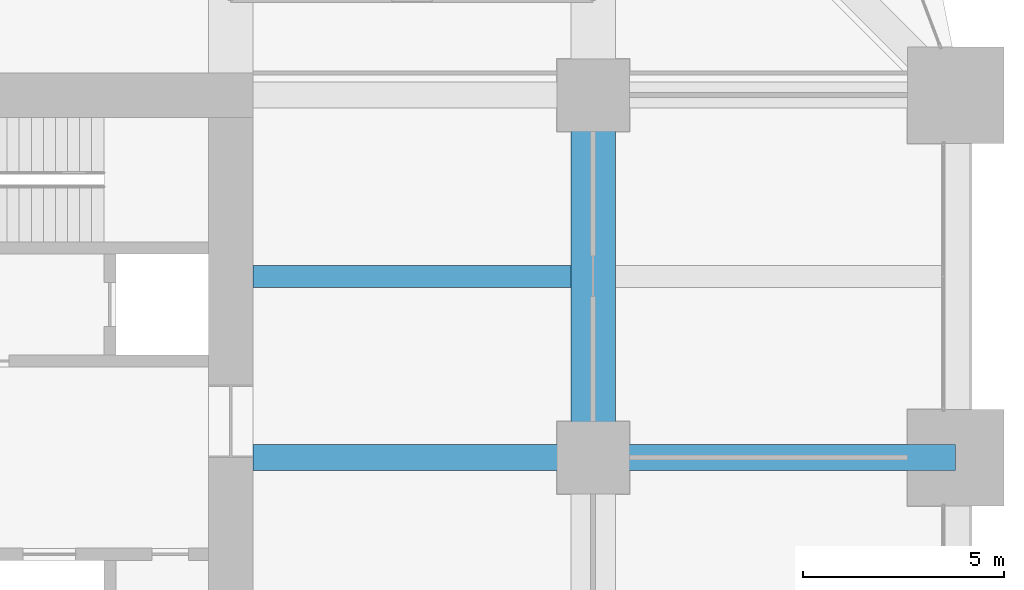
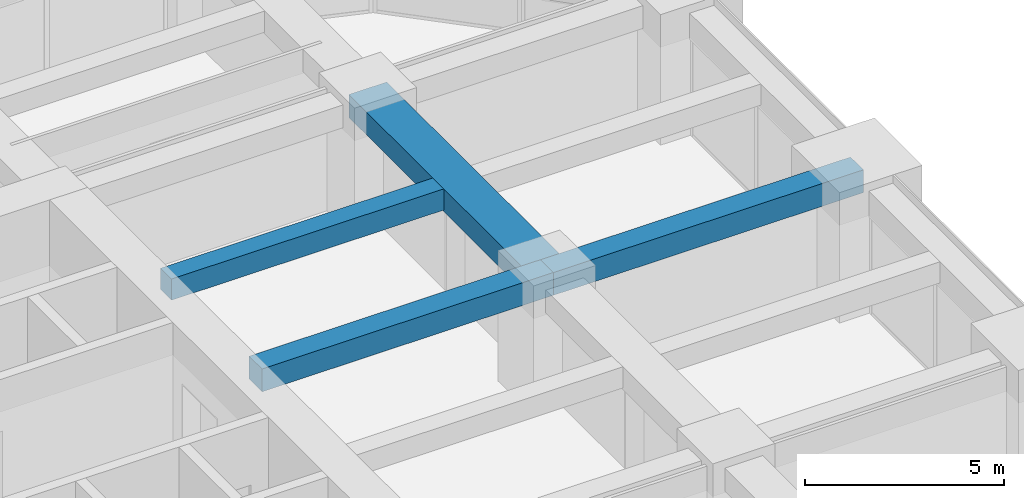
# One storey, part 22 of 40: 4 beams.
"""IFC4 building model written with IfcOpenShell, lengths in metres."""

from ifc_helpers import new_model, si_unit, direction, frame, origin, origin_2d, place, context, subcontext, project, spatial, rectangle, extrude, material, material_profile, profile_set, type_object, element, save


model = new_model("IFC4")

# Units and contexts
model_context = context("Model", 3, precision=1e-05, world=origin(), true_north=direction((0.0, 1.0)))
body_context = subcontext(model_context, "Body", "Model", "MODEL_VIEW")
ifc_project = project(units=[si_unit("LENGTHUNIT", "METRE"), si_unit("AREAUNIT", "SQUARE_METRE"), si_unit("VOLUMEUNIT", "CUBIC_METRE"), si_unit("PLANEANGLEUNIT", "RADIAN"), si_unit("MASSUNIT", "GRAM", prefix="KILO")], contexts=[model_context])

# Site, building, storey
site_placement = place(None, origin())
site = spatial("IfcSite", under=ifc_project, at=site_placement, CompositionType="ELEMENT")
building_placement = place(site_placement, origin())
building = spatial("IfcBuilding", under=site, at=building_placement, Name="Zorevar Civic Tower", CompositionType="ELEMENT")
storey_placement = place(building_placement, frame((0.0, 0.0, 129.0)))
storey = spatial("IfcBuildingStorey", under=building, at=storey_placement, Name="L31", CompositionType="ELEMENT", Elevation=129.0)

# Beams
ifc_material_1 = material(Name="Concrete C50/60", Category="concrete")
ifc_material_profile_1 = material_profile(ifc_material_1, rectangle(XDim=1.10009765625, YDim=0.699951171875, at=origin_2d()), Name="RC 1100x700")
ifc_profile_set_1 = profile_set([ifc_material_profile_1], Name="Concrete C50/60")
beam_type_1 = type_object("IfcBeamType", Name="Beam RC 1100x700", PredefinedType="BEAM", material=ifc_profile_set_1)
beam_1_placement = place(storey_placement, frame((54.0, 27.0, 3.39990234375), z_axis=(0.0, 1.0, 0.0), x_axis=(-1.0, 0.0, 0.0)))
element("IfcBeam", 1, at=beam_1_placement, inside=storey, type_object=beam_type_1, Name="Girder L32", PredefinedType="BEAM", context=body_context, shape_type="SweptSolid", body=[
    extrude(rectangle(XDim=1.10009765625, YDim=0.699951171875, at=origin_2d()), origin(), (0.0, 0.0, 1.0), 9.0),
])
ifc_material_2 = material(Name="Concrete C50/60", Category="concrete")
ifc_material_profile_2 = material_profile(ifc_material_2, rectangle(XDim=0.550048828125, YDim=0.64990234375, at=origin_2d()), Name="RC 550x650")
ifc_profile_set_2 = profile_set([ifc_material_profile_2], Name="Concrete C50/60")
beam_type_2 = type_object("IfcBeamType", Name="Beam RC 550x650", PredefinedType="BEAM", material=ifc_profile_set_2)
beam_2_placement = place(storey_placement, frame((45.550048828125, 31.5, 3.425048828125), z_axis=(1.0, 0.0, 0.0), x_axis=(0.0, 1.0, 0.0)))
element("IfcBeam", 2, at=beam_2_placement, inside=storey, type_object=beam_type_2, Name="Secondary beam L32", PredefinedType="BEAM", context=body_context, shape_type="SweptSolid", body=[
    extrude(rectangle(XDim=0.550048828125, YDim=0.64990234375, at=origin_2d()), origin(), (0.0, 0.0, 1.0), 7.89990234375),
])
ifc_material_3 = material(Name="Concrete C50/60", Category="concrete")
ifc_material_profile_3 = material_profile(ifc_material_3, rectangle(XDim=0.64990234375, YDim=0.699951171875, at=origin_2d()), Name="RC 650x700")
ifc_profile_set_3 = profile_set([ifc_material_profile_3], Name="Concrete C50/60")
beam_type_3 = type_object("IfcBeamType", Name="Beam RC 650x700", PredefinedType="BEAM", material=ifc_profile_set_3)
beam_3_placement = place(storey_placement, frame((45.550048828125, 27.0, 3.39990234375), z_axis=(1.0, 0.0, 0.0), x_axis=(0.0, 1.0, 0.0)))
element("IfcBeam", 3, at=beam_3_placement, inside=storey, type_object=beam_type_3, Name="Girder L32", PredefinedType="BEAM", context=body_context, shape_type="SweptSolid", body=[
    extrude(rectangle(XDim=0.64990234375, YDim=0.699951171875, at=origin_2d()), origin(), (0.0, 0.0, 1.0), 8.449951171875),
])
beam_4_placement = place(storey_placement, frame((54.0, 27.0, 3.39990234375), z_axis=(1.0, 0.0, 0.0), x_axis=(0.0, 1.0, 0.0)))
element("IfcBeam", 4, at=beam_4_placement, inside=storey, type_object=beam_type_3, Name="Girder L32", PredefinedType="BEAM", context=body_context, shape_type="SweptSolid", body=[
    extrude(rectangle(XDim=0.64990234375, YDim=0.699951171875, at=origin_2d()), origin(), (0.0, 0.0, 1.0), 9.0),
])

save(model, "model.ifc")
